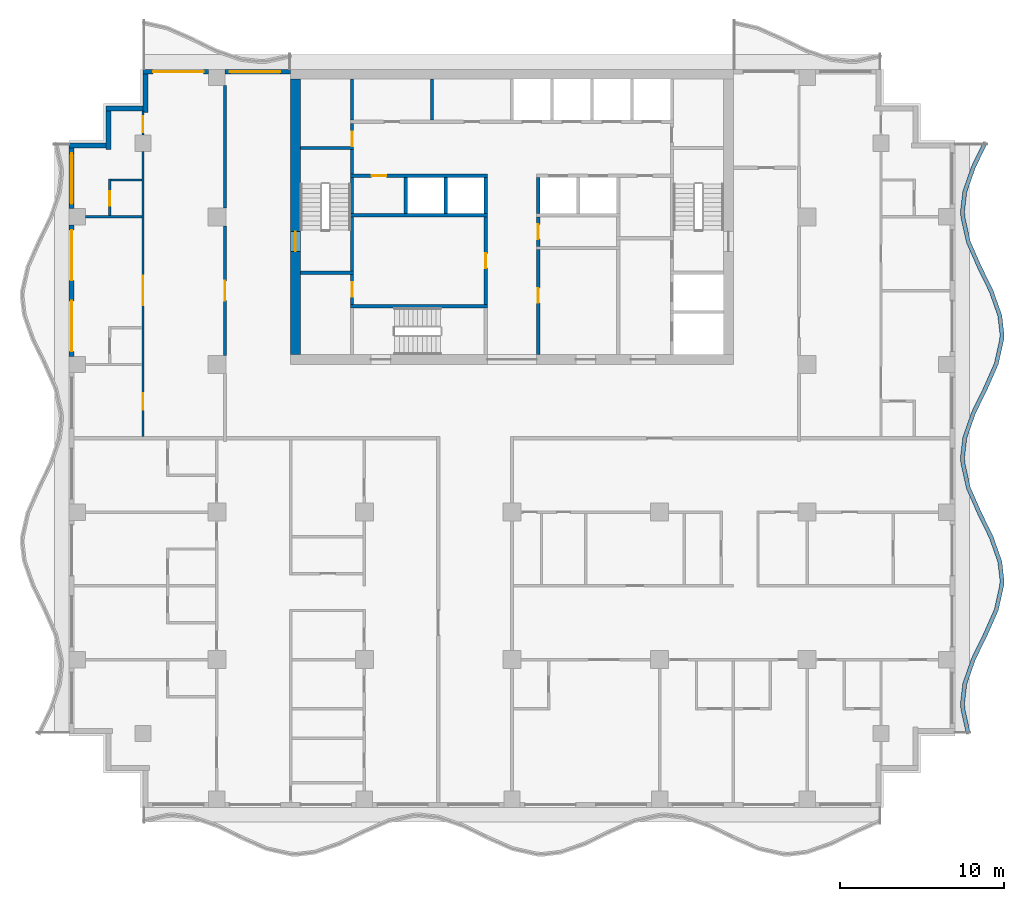
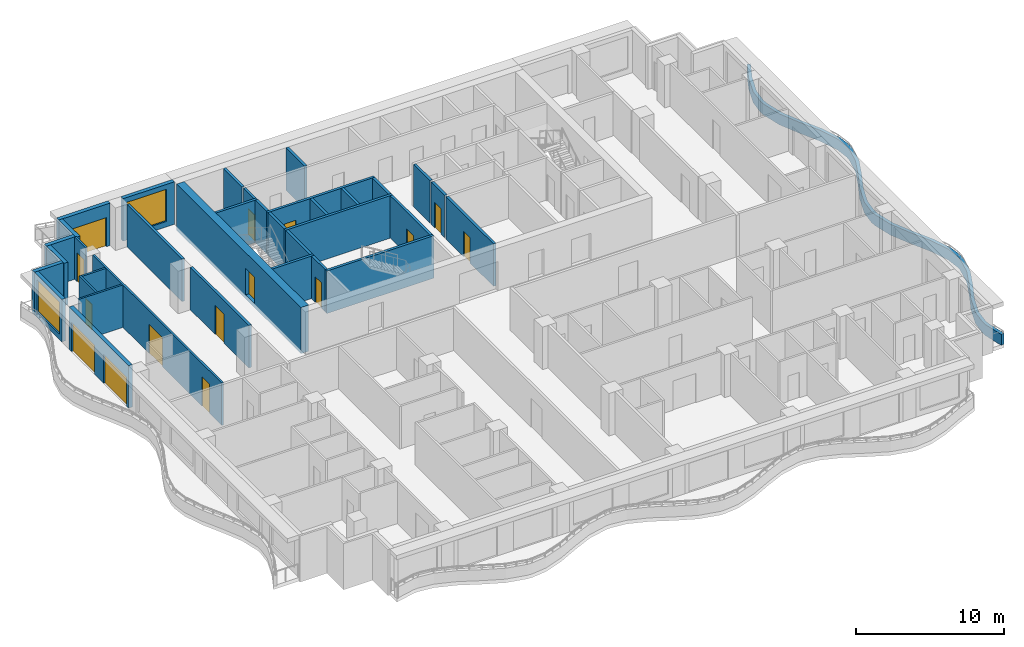
# One storey, part 5 of 11: 36 walls, 15 doors, 2 windows, 17 openings.
"""IFC4 building model written with IfcOpenShell, lengths in metres."""

import ifcopenshell
import ifcopenshell.guid

model = None  # the IFC model being written
_history = None  # IfcOwnerHistory: only IFC2X3 demands one
_inside = {}  # id of a spatial element -> (the spatial element, [elements in it])
_under = {}  # id of a project, library or spatial element -> (it, [spatial elements below it])
_declared = {}  # id of a project -> (the project, [libraries it declares])
_typed = {}  # id of a type object -> (the type object, [elements of that type])
_made_of = {}  # id of a material, layer set ... -> (it, [elements and type objects made of it])


def new_model(schema):
    """Start an empty IFC model of exactly this schema.

    Asked for "IFC4X3", IfcOpenShell would pick the latest addendum, in which some entities
    have other attributes; the version numbers below select the first issue.
    IFC2X3 requires an IfcOwnerHistory on every rooted entity: one is made here for all.
    """
    global model, _history
    if schema == "IFC4X3":
        model = ifcopenshell.file(schema_version=(4, 3, 0, 0))
    else:
        model = ifcopenshell.file(schema=schema)
    _inside.clear()
    _under.clear()
    _declared.clear()
    _typed.clear()
    _made_of.clear()
    _history = None
    if model.schema == "IFC2X3":
        org = make("IfcOrganization", Name="unknown")
        user = make(
            "IfcPersonAndOrganization",
            ThePerson=make("IfcPerson", FamilyName="unknown"),
            TheOrganization=org,
        )
        app = make(
            "IfcApplication",
            ApplicationDeveloper=org,
            Version="unknown",
            ApplicationFullName="unknown",
            ApplicationIdentifier="unknown",
        )
        _history = make(
            "IfcOwnerHistory",
            OwningUser=user,
            OwningApplication=app,
            ChangeAction="ADDED",
            CreationDate=0,
        )
    return model


def make(cls, **values):
    """One entity of the class cls with the attributes given. An attribute that is None is left unset."""
    return model.create_entity(
        cls, **{name: value for name, value in values.items() if value is not None}
    )


def rooted(cls, **values):
    """An entity with a GlobalId (a new one), such as an element, a storey or a relation."""
    return make(cls, GlobalId=ifcopenshell.guid.new(), OwnerHistory=_history, **values)


def si_unit(unit_type, name, prefix=None):
    """IfcSIUnit, for example si_unit("LENGTHUNIT", "METRE", prefix="MILLI")."""
    return make("IfcSIUnit", UnitType=unit_type, Prefix=prefix, Name=name)


def assignment(units):
    """IfcUnitAssignment: the units of a project."""
    return None if units is None else make("IfcUnitAssignment", Units=units)


def point(xyz):
    """IfcCartesianPoint."""
    return None if xyz is None else make("IfcCartesianPoint", Coordinates=xyz)


def direction(xyz):
    """IfcDirection."""
    return None if xyz is None else make("IfcDirection", DirectionRatios=xyz)


def frame(location, z_axis=None, x_axis=None):
    """IfcAxis2Placement3D, a coordinate frame: its origin and axes. An axis left out is left unset."""
    return make(
        "IfcAxis2Placement3D",
        Location=point(location),
        Axis=direction(z_axis),
        RefDirection=direction(x_axis),
    )


def frame_2d(location, x_axis=None):
    """IfcAxis2Placement2D, a coordinate frame in the plane: its origin and x axis."""
    return make(
        "IfcAxis2Placement2D", Location=point(location), RefDirection=direction(x_axis)
    )


def origin():
    """The frame at (0, 0, 0) with its axes left unset."""
    return frame((0.0, 0.0, 0.0))


def place(relative_to, where):
    """IfcLocalPlacement: puts the frame where relative to a parent placement (None: the world)."""
    return make(
        "IfcLocalPlacement", PlacementRelTo=relative_to, RelativePlacement=where
    )


def context(
    kind, dimensions, precision=None, world=None, true_north=None, identifier=None
):
    """IfcGeometricRepresentationContext, for example the 3D "Model" context."""
    return make(
        "IfcGeometricRepresentationContext",
        ContextIdentifier=identifier,
        ContextType=kind,
        CoordinateSpaceDimension=dimensions,
        Precision=precision,
        WorldCoordinateSystem=world,
        TrueNorth=true_north,
    )


def subcontext(parent, identifier, kind, view, scale=None):
    """IfcGeometricRepresentationSubContext, for example "Body" below "Model"."""
    return make(
        "IfcGeometricRepresentationSubContext",
        ContextIdentifier=identifier,
        ContextType=kind,
        ParentContext=parent,
        TargetScale=scale,
        TargetView=view,
    )


def project(units=None, contexts=None):
    """IfcProject with its units and contexts."""
    return rooted(
        "IfcProject",
        Name="project",
        RepresentationContexts=contexts,
        UnitsInContext=assignment(units),
    )


def spatial(cls, under=None, at=None, **own):
    """A site, building, storey or space (cls), placed at a placement, below another one or the project."""
    s = rooted(cls, ObjectPlacement=at, **own)
    if under is not None:
        _under.setdefault(under.id(), (under, []))[1].append(s)
    return s


def polyline(points):
    """IfcPolyline through the points."""
    return make("IfcPolyline", Points=[point(p) for p in points])


def profile(cls, at=None, kind="AREA", **sizes):
    """A parametric profile (cls). Its sizes go by their IFC names, for example OverallWidth=200.0."""
    return make(cls, ProfileType=kind, Position=at, **sizes)


def rectangle(**sizes):
    """IfcRectangleProfileDef."""
    return profile("IfcRectangleProfileDef", **sizes)


def outline(outer, holes=None, kind="AREA"):
    """IfcArbitraryClosedProfileDef: a profile drawn as a closed curve; with holes, ...WithVoids."""
    if holes is None:
        return make("IfcArbitraryClosedProfileDef", ProfileType=kind, OuterCurve=outer)
    return make(
        "IfcArbitraryProfileDefWithVoids",
        ProfileType=kind,
        OuterCurve=outer,
        InnerCurves=holes,
    )


def extrude(swept, where, along, depth):
    """IfcExtrudedAreaSolid: the profile swept, set in the frame where, extruded along a direction by depth."""
    return make(
        "IfcExtrudedAreaSolid",
        SweptArea=swept,
        Position=where,
        ExtrudedDirection=direction(along),
        Depth=depth,
    )


def shape(context_of_items, identifier, shape_type, items):
    """IfcShapeRepresentation: the items that make up one representation, for example the "Body"."""
    return make(
        "IfcShapeRepresentation",
        ContextOfItems=context_of_items,
        RepresentationIdentifier=identifier,
        RepresentationType=shape_type,
        Items=items,
    )


def material(Name=None, Category=None):
    """IfcMaterial."""
    return make("IfcMaterial", Name=Name, Category=Category)


def layer(
    of_material, thickness, ventilated=None, Name=None, Category=None, Priority=None
):
    """IfcMaterialLayer: one layer of a wall or slab, of a material (None: an air gap)."""
    return make(
        "IfcMaterialLayer",
        Material=of_material,
        LayerThickness=thickness,
        IsVentilated=ventilated,
        Name=Name,
        Category=Category,
        Priority=Priority,
    )


def layer_set(layers, Name=None):
    """IfcMaterialLayerSet."""
    return make("IfcMaterialLayerSet", MaterialLayers=layers, LayerSetName=Name)


def made_of(thing, what):
    """Note that an element or type object is made of a material, layer set ...; save() writes the relation."""
    if what is not None:
        _made_of.setdefault(what.id(), (what, []))[1].append(thing)
    return thing


def type_object(cls, material=None, **own):
    """A type object (cls), such as IfcWallType, which elements share."""
    return made_of(rooted(cls, **own), material)


def element(
    cls,
    number,
    at=None,
    inside=None,
    cuts=None,
    type_object=None,
    material=None,
    context=None,
    identifier="Body",
    shape_type=None,
    held_by="IfcProductDefinitionShape",
    body=None,
    shapes=None,
    **own,
):
    """One element of the class cls, such as IfcWall. Its Tag is "e" and its number.

    at: its placement. inside: the storey or other place that contains it. cuts: it is an
    opening in that element (IfcRelVoidsElement). A single representation is given by context,
    identifier, shape_type and body (its items); several are given by shapes. held_by: the class
    of the entity that holds the representations. save() writes the other relations.
    """
    e = rooted(cls, Tag="e%d" % number, ObjectPlacement=at, **own)
    if body is not None:
        shapes = [shape(context, identifier, shape_type, body)]
    if shapes is not None:
        e.Representation = make(held_by, Representations=shapes)
    if inside is not None:
        _inside.setdefault(inside.id(), (inside, []))[1].append(e)
    if cuts is not None:
        rooted(
            "IfcRelVoidsElement", RelatingBuildingElement=cuts, RelatedOpeningElement=e
        )
    if type_object is not None:
        _typed.setdefault(type_object.id(), (type_object, []))[1].append(e)
    return made_of(e, material)


def fill(opening, filler):
    """IfcRelFillsElement: the door or window that sits in an opening."""
    return rooted(
        "IfcRelFillsElement",
        RelatingOpeningElement=opening,
        RelatedBuildingElement=filler,
    )


def aggregate(whole, parts):
    """IfcRelAggregates: a whole, such as a stair, and the parts it consists of."""
    return rooted("IfcRelAggregates", RelatingObject=whole, RelatedObjects=parts)


def save(model, path):
    """Write the relations noted so far, then the file.

    IfcRelAggregates (storeys below a building ...), IfcRelContainedInSpatialStructure (elements
    in a storey), IfcRelDefinesByType, IfcRelAssociatesMaterial and IfcRelDeclares: one each for
    every whole, place, type object, material and project.
    """
    for whole, parts in _under.values():
        aggregate(whole, parts)
    for where, things in _inside.values():
        rooted(
            "IfcRelContainedInSpatialStructure",
            RelatedElements=things,
            RelatingStructure=where,
        )
    for kind, things in _typed.values():
        rooted("IfcRelDefinesByType", RelatedObjects=things, RelatingType=kind)
    for what, things in _made_of.values():
        rooted("IfcRelAssociatesMaterial", RelatedObjects=things, RelatingMaterial=what)
    for by, libraries in _declared.values():
        rooted("IfcRelDeclares", RelatingContext=by, RelatedDefinitions=libraries)
    model.write(path)


model = new_model("IFC4")

# Units and contexts
model_context = context("Model", 3, precision=1e-05, world=origin(), true_north=direction((0.0, 1.0)))
body_context = subcontext(model_context, "Body", "Model", "MODEL_VIEW")
ifc_project = project(units=[si_unit("LENGTHUNIT", "METRE"), si_unit("AREAUNIT", "SQUARE_METRE"), si_unit("VOLUMEUNIT", "CUBIC_METRE"), si_unit("PLANEANGLEUNIT", "RADIAN"), si_unit("MASSUNIT", "GRAM", prefix="KILO")], contexts=[model_context])

# Site, building, storey
site_placement = place(None, origin())
site = spatial("IfcSite", under=ifc_project, at=site_placement, CompositionType="ELEMENT")
building_placement = place(site_placement, origin())
building = spatial("IfcBuilding", under=site, at=building_placement, Name="Orbiselva Terraces", CompositionType="ELEMENT")
storey_placement = place(building_placement, frame((0.0, 0.0, 199.6)))
storey = spatial("IfcBuildingStorey", under=building, at=storey_placement, Name="L50", CompositionType="ELEMENT", Elevation=199.6)

# Wall, opening, door
ifc_material_1 = material(Name="Concrete C80/95", Category="concrete")
ifc_layer_1 = layer(ifc_material_1, 0.6)
ifc_layer_set_1 = layer_set([ifc_layer_1], Name="Concrete C80/95")
wall_type_1 = type_object("IfcWallType", Name="CORE WALL 600", PredefinedType="SHEAR", material=ifc_layer_set_1)
wall_1_placement = place(storey_placement, frame((-13.2, 21.9, -0.3), z_axis=(0.0, 0.0, 1.0), x_axis=(0.0, -1.0, 0.0)))
wall_1 = element("IfcWall", 1, at=wall_1_placement, inside=storey, type_object=wall_type_1, Name="Core wall L50 west", PredefinedType="SHEAR", context=body_context, shape_type="SweptSolid", body=[
    extrude(rectangle(XDim=16.8, YDim=0.6, at=frame_2d((8.4, 0.0))), origin(), (0.0, 0.0, 1.0), 3.8),
])
opening_1_placement = place(wall_1_placement, frame((9.3, 0.0, 0.3)))
opening_1 = element("IfcOpeningElement", 2, at=opening_1_placement, cuts=wall_1, Name="Opening DS1200", PredefinedType="OPENING", context=body_context, shape_type="SweptSolid", body=[
    extrude(rectangle(XDim=1.2, YDim=2.2, at=frame_2d((0.6, 1.1))), frame((0.0, 0.31, 0.0), z_axis=(0.0, -1.0, 0.0), x_axis=(1.0, 0.0, 0.0)), (0.0, 0.0, 1.0), 0.62),
])
ifc_material_2 = material(Name="Steel fire door", Category="steel")
door_type_1 = type_object("IfcDoorType", Name="STAIR DOOR 1200", OperationType="NOTDEFINED", PredefinedType="DOOR", material=ifc_material_2)
door_1_placement = place(opening_1_placement, frame((1.2, 0.0, 0.0), z_axis=(0.0, 0.0, 1.0), x_axis=(-1.0, 0.0, 0.0)))
door_1 = element("IfcDoor", 3, at=door_1_placement, inside=storey, type_object=door_type_1, Name="L50 EXIT STAIR S1 door", OperationType="SINGLE_SWING_RIGHT", OverallHeight=2.2, OverallWidth=1.2, PredefinedType="DOOR", context=body_context, shape_type="SweptSolid", body=[
    extrude(rectangle(XDim=1.2, YDim=2.2, at=frame_2d((0.6, 1.1))), frame((0.0, 0.025, 0.0), z_axis=(0.0, -1.0, 0.0), x_axis=(1.0, 0.0, 0.0)), (0.0, 0.0, 1.0), 0.05),
])
fill(opening_1, door_1)

ifc_material_3 = material(Name="Masonry blockwork", Category="masonry")
ifc_layer_2 = layer(ifc_material_3, 0.2)
ifc_layer_set_2 = layer_set([ifc_layer_2], Name="Masonry blockwork")
wall_type_2 = type_object("IfcWallType", Name="CORE-WALL-PARTITION-200", PredefinedType="PARTITIONING", material=ifc_layer_set_2)
wall_2_placement = place(storey_placement, frame((-9.75, 8.15, 0.0), z_axis=(0.0, 0.0, 1.0), x_axis=(0.0, 1.0, 0.0)))
wall_2 = element("IfcWall", 4, at=wall_2_placement, inside=storey, type_object=wall_type_2, Name="L50 core wall 05", PredefinedType="PARTITIONING", context=body_context, shape_type="SweptSolid", body=[
    extrude(rectangle(XDim=1.85, YDim=0.2, at=frame_2d((0.925, 0.0))), origin(), (0.0, 0.0, 1.0), 3.5),
])
opening_2_placement = place(wall_2_placement, frame((0.475, 0.0, 0.0)))
opening_2 = element("IfcOpeningElement", 5, at=opening_2_placement, cuts=wall_2, Name="Opening DR900", PredefinedType="OPENING", context=body_context, shape_type="SweptSolid", body=[
    extrude(rectangle(XDim=0.9, YDim=2.1, at=frame_2d((0.45, 1.05))), frame((0.0, 0.11, 0.0), z_axis=(0.0, -1.0, 0.0), x_axis=(1.0, 0.0, 0.0)), (0.0, 0.0, 1.0), 0.22),
])
door_type_2 = type_object("IfcDoorType", Name="ROOM DOOR 900", OperationType="NOTDEFINED", PredefinedType="DOOR", material=ifc_material_2)
door_2_placement = place(opening_2_placement, origin())
door_2 = element("IfcDoor", 6, at=door_2_placement, inside=storey, type_object=door_type_2, Name="L50 ACCESSIBLE WC door", OperationType="SINGLE_SWING_RIGHT", OverallHeight=2.1, OverallWidth=0.9, PredefinedType="DOOR", context=body_context, shape_type="SweptSolid", body=[
    extrude(rectangle(XDim=0.9, YDim=2.1, at=frame_2d((0.45, 1.05))), frame((0.0, 0.025, 0.0), z_axis=(0.0, -1.0, 0.0), x_axis=(1.0, 0.0, 0.0)), (0.0, 0.0, 1.0), 0.05),
])
fill(opening_2, door_2)

wall_3_placement = place(storey_placement, frame((-9.75, 17.8, 0.0), z_axis=(0.0, 0.0, 1.0), x_axis=(0.0, 1.0, 0.0)))
wall_3 = element("IfcWall", 7, at=wall_3_placement, inside=storey, type_object=wall_type_2, Name="L50 core wall 11", PredefinedType="PARTITIONING", context=body_context, shape_type="SweptSolid", body=[
    extrude(rectangle(XDim=1.4, YDim=0.2, at=frame_2d((0.7, 0.0))), origin(), (0.0, 0.0, 1.0), 3.5),
])
opening_3_placement = place(wall_3_placement, origin())
opening_3 = element("IfcOpeningElement", 8, at=opening_3_placement, cuts=wall_3, Name="Opening DR900", PredefinedType="OPENING", context=body_context, shape_type="SweptSolid", body=[
    extrude(rectangle(XDim=0.9, YDim=2.1, at=frame_2d((0.45, 1.05))), frame((0.0, 0.11, 0.0), z_axis=(0.0, -1.0, 0.0), x_axis=(1.0, 0.0, 0.0)), (0.0, 0.0, 1.0), 0.22),
])
door_3_placement = place(opening_3_placement, origin())
door_3 = element("IfcDoor", 9, at=door_3_placement, inside=storey, type_object=door_type_2, Name="L50 COMMS RISER ROOM door", OperationType="SINGLE_SWING_LEFT", OverallHeight=2.1, OverallWidth=0.9, PredefinedType="DOOR", context=body_context, shape_type="SweptSolid", body=[
    extrude(rectangle(XDim=0.9, YDim=2.1, at=frame_2d((0.45, 1.05))), frame((0.0, 0.025, 0.0), z_axis=(0.0, -1.0, 0.0), x_axis=(1.0, 0.0, 0.0)), (0.0, 0.0, 1.0), 0.05),
])
fill(opening_3, door_3)

# Walls
for number, where, z_axis, x_axis, name in (
    (10, (-9.75, 19.4, 0.0), (0.0, 0.0, 1.0), (0.0, 1.0, 0.0), "L50 core wall 13"),
    (11, (-4.875, 19.4, 0.0), (0.0, 0.0, 1.0), (0.0, 1.0, 0.0), "L50 core wall 15"),
):
    element("IfcWall", number, at=place(storey_placement, frame(where, z_axis=z_axis, x_axis=x_axis)), inside=storey, type_object=wall_type_2, Name=name, PredefinedType="PARTITIONING", context=body_context, shape_type="SweptSolid", body=[
        extrude(rectangle(XDim=2.5, YDim=0.2, at=frame_2d((1.25, 0.0))), origin(), (0.0, 0.0, 1.0), 3.5),
    ])

# Wall, opening, door
wall_4_placement = place(storey_placement, frame((1.6, 13.5, 0.0), z_axis=(0.0, 0.0, 1.0), x_axis=(0.0, -1.0, 0.0)))
wall_4 = element("IfcWall", 12, at=wall_4_placement, inside=storey, type_object=wall_type_2, Name="L50 core wall 23", PredefinedType="PARTITIONING", context=body_context, shape_type="SweptSolid", body=[
    extrude(rectangle(XDim=1.8, YDim=0.2, at=frame_2d((0.9, 0.0))), origin(), (0.0, 0.0, 1.0), 3.5),
])
opening_4_placement = place(wall_4_placement, frame((0.45, 0.0, 0.0)))
opening_4 = element("IfcOpeningElement", 13, at=opening_4_placement, cuts=wall_4, Name="Opening DR900", PredefinedType="OPENING", context=body_context, shape_type="SweptSolid", body=[
    extrude(rectangle(XDim=0.9, YDim=2.1, at=frame_2d((0.45, 1.05))), frame((0.0, 0.11, 0.0), z_axis=(0.0, -1.0, 0.0), x_axis=(1.0, 0.0, 0.0)), (0.0, 0.0, 1.0), 0.22),
])
door_4_placement = place(opening_4_placement, origin())
door_4 = element("IfcDoor", 14, at=door_4_placement, inside=storey, type_object=door_type_2, Name="L50 IT ROOM door", OperationType="SINGLE_SWING_LEFT", OverallHeight=2.1, OverallWidth=0.9, PredefinedType="DOOR", context=body_context, shape_type="SweptSolid", body=[
    extrude(rectangle(XDim=0.9, YDim=2.1, at=frame_2d((0.45, 1.05))), frame((0.0, 0.025, 0.0), z_axis=(0.0, -1.0, 0.0), x_axis=(1.0, 0.0, 0.0)), (0.0, 0.0, 1.0), 0.05),
])
fill(opening_4, door_4)

# Walls
ifc_material_4 = material(Name="Concrete C40/50", Category="concrete")
ifc_layer_3 = layer(ifc_material_4, 0.2)
ifc_layer_set_3 = layer_set([ifc_layer_3], Name="Concrete C40/50")
wall_type_3 = type_object("IfcWallType", Name="CORE-WALL-SHAFT-200", PredefinedType="PARTITIONING", material=ifc_layer_set_3)
for number, where, z_axis, x_axis, name in (
    (15, (-6.475, 13.7, 0.0), (0.0, 0.0, 1.0), (0.0, 1.0, 0.0), "L50 core wall 14"),
    (16, (-4.0375, 13.7, 0.0), (0.0, 0.0, 1.0), (0.0, 1.0, 0.0), "L50 core wall 16"),
    (17, (-1.6, 13.7, 0.0), (0.0, 0.0, 1.0), (0.0, 1.0, 0.0), "L50 core wall 19"),
    (18, (1.6, 13.7, 0.0), (0.0, 0.0, 1.0), (0.0, 1.0, 0.0), "L50 core wall 25"),
):
    element("IfcWall", number, at=place(storey_placement, frame(where, z_axis=z_axis, x_axis=x_axis)), inside=storey, type_object=wall_type_3, Name=name, PredefinedType="PARTITIONING", context=body_context, shape_type="SweptSolid", body=[
        extrude(rectangle(XDim=2.2, YDim=0.2, at=frame_2d((1.1, 0.0))), origin(), (0.0, 0.0, 1.0), 3.5),
    ])
ifc_material_5 = material(Name="Concrete C60/75", Category="concrete")
ifc_layer_4 = layer(ifc_material_5, 0.2)
ifc_layer_set_4 = layer_set([ifc_layer_4], Name="Concrete C60/75")
wall_type_4 = type_object("IfcWallType", Name="CORE-WALL-SHEAR-200", PredefinedType="SHEAR", material=ifc_layer_set_4)
for number, where, z_axis, x_axis, name in (
    (19, (-12.9, 10.1, 0.0), (0.0, 0.0, 1.0), (1.0, 0.0, 0.0), "L50 core wall 01"),
    (20, (-12.9, 17.7, 0.0), (0.0, 0.0, 1.0), (1.0, 0.0, 0.0), "L50 core wall 02"),
):
    element("IfcWall", number, at=place(storey_placement, frame(where, z_axis=z_axis, x_axis=x_axis)), inside=storey, type_object=wall_type_4, Name=name, PredefinedType="SHEAR", context=body_context, shape_type="SweptSolid", body=[
        extrude(rectangle(XDim=3.25, YDim=0.2, at=frame_2d((1.625, 0.0))), origin(), (0.0, 0.0, 1.0), 3.5),
    ])
wall_5_placement = place(storey_placement, frame((-9.85, 8.05, 0.0), z_axis=(0.0, 0.0, 1.0), x_axis=(1.0, 0.0, 0.0)))
element("IfcWall", 21, at=wall_5_placement, inside=storey, type_object=wall_type_4, Name="L50 core wall 04", PredefinedType="SHEAR", context=body_context, shape_type="SweptSolid", body=[
    extrude(rectangle(XDim=8.35, YDim=0.2, at=frame_2d((4.175, 0.0))), origin(), (0.0, 0.0, 1.0), 3.5),
])
wall_6_placement = place(storey_placement, frame((-9.75, 10.2, 0.0), z_axis=(0.0, 0.0, 1.0), x_axis=(0.0, 1.0, 0.0)))
element("IfcWall", 22, at=wall_6_placement, inside=storey, type_object=wall_type_4, Name="L50 core wall 06", PredefinedType="SHEAR", context=body_context, shape_type="SweptSolid", body=[
    extrude(rectangle(XDim=3.3, YDim=0.2, at=frame_2d((1.65, 0.0))), origin(), (0.0, 0.0, 1.0), 3.5),
])
wall_7_placement = place(storey_placement, frame((-9.85, 13.6, 0.0), z_axis=(0.0, 0.0, 1.0), x_axis=(1.0, 0.0, 0.0)))
element("IfcWall", 23, at=wall_7_placement, inside=storey, type_object=wall_type_4, Name="L50 core wall 07", PredefinedType="SHEAR", context=body_context, shape_type="SweptSolid", body=[
    extrude(rectangle(XDim=8.35, YDim=0.2, at=frame_2d((4.175, 0.0))), origin(), (0.0, 0.0, 1.0), 3.5),
])
wall_8_placement = place(storey_placement, frame((-9.75, 13.7, 0.0), z_axis=(0.0, 0.0, 1.0), x_axis=(0.0, 1.0, 0.0)))
element("IfcWall", 24, at=wall_8_placement, inside=storey, type_object=wall_type_4, Name="L50 core wall 08", PredefinedType="SHEAR", context=body_context, shape_type="SweptSolid", body=[
    extrude(rectangle(XDim=2.2, YDim=0.2, at=frame_2d((1.1, 0.0))), origin(), (0.0, 0.0, 1.0), 3.5),
])

# Wall, opening, door
wall_9_placement = place(storey_placement, frame((-1.5, 16.0, 0.0), z_axis=(0.0, 0.0, 1.0), x_axis=(-1.0, 0.0, 0.0)))
wall_9 = element("IfcWall", 25, at=wall_9_placement, inside=storey, type_object=wall_type_4, Name="L50 core wall 09", PredefinedType="SHEAR", context=body_context, shape_type="SweptSolid", body=[
    extrude(rectangle(XDim=8.35, YDim=0.2, at=frame_2d((4.175, 0.0))), origin(), (0.0, 0.0, 1.0), 3.5),
])
opening_5_placement = place(wall_9_placement, frame((6.1625, 0.0, 0.0)))
opening_5 = element("IfcOpeningElement", 26, at=opening_5_placement, cuts=wall_9, Name="Opening DR900", PredefinedType="OPENING", context=body_context, shape_type="SweptSolid", body=[
    extrude(rectangle(XDim=0.9, YDim=2.1, at=frame_2d((0.45, 1.05))), frame((0.0, 0.11, 0.0), z_axis=(0.0, -1.0, 0.0), x_axis=(1.0, 0.0, 0.0)), (0.0, 0.0, 1.0), 0.22),
])
door_5_placement = place(opening_5_placement, origin())
door_5 = element("IfcDoor", 27, at=door_5_placement, inside=storey, type_object=door_type_2, Name="L50 IT ROOM door", OperationType="SINGLE_SWING_RIGHT", OverallHeight=2.1, OverallWidth=0.9, PredefinedType="DOOR", context=body_context, shape_type="SweptSolid", body=[
    extrude(rectangle(XDim=0.9, YDim=2.1, at=frame_2d((0.45, 1.05))), frame((0.0, 0.025, 0.0), z_axis=(0.0, -1.0, 0.0), x_axis=(1.0, 0.0, 0.0)), (0.0, 0.0, 1.0), 0.05),
])
fill(opening_5, door_5)

# Wall
wall_10_placement = place(storey_placement, frame((-9.75, 16.1, 0.0), z_axis=(0.0, 0.0, 1.0), x_axis=(0.0, 1.0, 0.0)))
element("IfcWall", 28, at=wall_10_placement, inside=storey, type_object=wall_type_4, Name="L50 core wall 10", PredefinedType="SHEAR", context=body_context, shape_type="SweptSolid", body=[
    extrude(rectangle(XDim=1.5, YDim=0.2, at=frame_2d((0.75, 0.0))), origin(), (0.0, 0.0, 1.0), 3.5),
])

# Wall, opening, door
wall_11_placement = place(storey_placement, frame((-1.6, 8.15, 0.0), z_axis=(0.0, 0.0, 1.0), x_axis=(0.0, 1.0, 0.0)))
wall_11 = element("IfcWall", 29, at=wall_11_placement, inside=storey, type_object=wall_type_4, Name="L50 core wall 18", PredefinedType="SHEAR", context=body_context, shape_type="SweptSolid", body=[
    extrude(rectangle(XDim=5.35, YDim=0.2, at=frame_2d((2.675, 0.0))), origin(), (0.0, 0.0, 1.0), 3.5),
])
opening_6_placement = place(wall_11_placement, frame((2.225, 0.0, 0.0)))
opening_6 = element("IfcOpeningElement", 30, at=opening_6_placement, cuts=wall_11, Name="Opening DR900", PredefinedType="OPENING", context=body_context, shape_type="SweptSolid", body=[
    extrude(rectangle(XDim=0.9, YDim=2.1, at=frame_2d((0.45, 1.05))), frame((0.0, 0.11, 0.0), z_axis=(0.0, -1.0, 0.0), x_axis=(1.0, 0.0, 0.0)), (0.0, 0.0, 1.0), 0.22),
])
door_6_placement = place(opening_6_placement, origin())
door_6 = element("IfcDoor", 31, at=door_6_placement, inside=storey, type_object=door_type_2, Name="L50 LINEN STORE door", OperationType="SINGLE_SWING_RIGHT", OverallHeight=2.1, OverallWidth=0.9, PredefinedType="DOOR", context=body_context, shape_type="SweptSolid", body=[
    extrude(rectangle(XDim=0.9, YDim=2.1, at=frame_2d((0.45, 1.05))), frame((0.0, 0.025, 0.0), z_axis=(0.0, -1.0, 0.0), x_axis=(1.0, 0.0, 0.0)), (0.0, 0.0, 1.0), 0.05),
])
fill(opening_6, door_6)

wall_12_placement = place(storey_placement, frame((1.6, 11.5, 0.0), z_axis=(0.0, 0.0, 1.0), x_axis=(0.0, -1.0, 0.0)))
wall_12 = element("IfcWall", 32, at=wall_12_placement, inside=storey, type_object=wall_type_4, Name="L50 core wall 21", PredefinedType="SHEAR", context=body_context, shape_type="SweptSolid", body=[
    extrude(rectangle(XDim=6.4, YDim=0.2, at=frame_2d((3.2, 0.0))), origin(), (0.0, 0.0, 1.0), 3.5),
])
opening_7_placement = place(wall_12_placement, frame((2.35, 0.0, 0.0)))
opening_7 = element("IfcOpeningElement", 33, at=opening_7_placement, cuts=wall_12, Name="Opening DR900", PredefinedType="OPENING", context=body_context, shape_type="SweptSolid", body=[
    extrude(rectangle(XDim=0.9, YDim=2.1, at=frame_2d((0.45, 1.05))), frame((0.0, 0.11, 0.0), z_axis=(0.0, -1.0, 0.0), x_axis=(1.0, 0.0, 0.0)), (0.0, 0.0, 1.0), 0.22),
])
door_7_placement = place(opening_7_placement, origin())
door_7 = element("IfcDoor", 34, at=door_7_placement, inside=storey, type_object=door_type_2, Name="L50 SERVICE ROOM door", OperationType="SINGLE_SWING_LEFT", OverallHeight=2.1, OverallWidth=0.9, PredefinedType="DOOR", context=body_context, shape_type="SweptSolid", body=[
    extrude(rectangle(XDim=0.9, YDim=2.1, at=frame_2d((0.45, 1.05))), frame((0.0, 0.025, 0.0), z_axis=(0.0, -1.0, 0.0), x_axis=(1.0, 0.0, 0.0)), (0.0, 0.0, 1.0), 0.05),
])
fill(opening_7, door_7)

# Wall
ifc_layer_5 = layer(ifc_material_4, 0.25)
ifc_layer_set_5 = layer_set([ifc_layer_5], Name="Concrete C40/50")
wall_type_5 = type_object("IfcWallType", Name="ENV-PLANTER-250x900", PredefinedType="USERDEFINED", material=ifc_layer_set_5)
wall_13_placement = place(storey_placement, origin())
element("IfcWall", 35, at=wall_13_placement, inside=storey, type_object=wall_type_5, Name="Balcony planter L50 E", ObjectType="PLANTER", PredefinedType="USERDEFINED", context=body_context, shape_type="SweptSolid", body=[
    extrude(outline(polyline([(27.951472, -18.0), (27.614774, -16.5), (27.6, -16.125), (27.730792, -15.0), (28.255211, -13.5), (28.987721, -12.0), (29.648528, -10.5), (29.985226, -9.0), (30.0, -8.625), (29.869208, -7.5), (29.344789, -6.0), (28.612279, -4.5), (27.951472, -3.0), (27.614774, -1.5), (27.6, -1.125), (27.730792, 0.0), (28.255211, 1.5), (28.987721, 3.0), (29.648528, 4.5), (29.985226, 6.0), (30.0, 6.375), (29.869208, 7.5), (29.344789, 9.0), (28.612279, 10.5), (27.951472, 12.0), (27.614774, 13.5), (27.6, 13.875), (27.730792, 15.0), (28.255211, 16.5), (28.987721, 18.0), (28.763076, 18.109703), (28.024089, 16.59644), (27.485662, 15.056371), (27.349429, 13.884572), (27.365863, 13.467435), (27.712874, 11.921492), (28.385477, 10.394714), (29.113667, 8.90356), (29.624078, 7.443629), (29.749429, 6.365428), (29.736315, 6.032565), (29.40993, 4.578508), (28.760919, 3.105286), (28.024089, 1.59644), (27.485662, 0.056371), (27.349429, -1.115428), (27.365863, -1.532565), (27.712874, -3.078508), (28.385477, -4.605286), (29.113667, -6.09644), (29.624078, -7.556371), (29.749429, -8.634572), (29.736315, -8.967435), (29.40993, -10.421492), (28.760919, -11.894714), (28.024089, -13.40356), (27.485662, -14.943629), (27.349429, -16.115428), (27.365863, -16.532565), (27.707542, -18.054754), (27.951472, -18.0)])), origin(), (0.0, 0.0, 1.0), 0.9),
])

# Wall, opening, window
ifc_material_6 = material(Name="Terracotta cladding on masonry backing", Category="masonry")
ifc_layer_6 = layer(ifc_material_6, 0.3)
ifc_layer_set_6 = layer_set([ifc_layer_6], Name="Terracotta cladding on masonry backing")
wall_type_6 = type_object("IfcWallType", Name="ENV-WALL-TERRACOTTA-300", PredefinedType="SOLIDWALL", material=ifc_layer_set_6)
wall_14_placement = place(storey_placement, frame((-17.5, 22.35, 0.0), z_axis=(0.0, 0.0, 1.0), x_axis=(1.0, 0.0, 0.0)))
wall_14 = element("IfcWall", 36, at=wall_14_placement, inside=storey, type_object=wall_type_6, Name="Facade wall L50 NW", PredefinedType="SOLIDWALL", context=body_context, shape_type="SweptSolid", body=[
    extrude(rectangle(XDim=4.0, YDim=0.3, at=frame_2d((2.0, 0.0))), origin(), (0.0, 0.0, 1.0), 3.5),
])
opening_8_placement = place(wall_14_placement, frame((0.3, 0.0, 0.45)))
opening_8 = element("IfcOpeningElement", 37, at=opening_8_placement, cuts=wall_14, Name="Opening WN15", PredefinedType="OPENING", context=body_context, shape_type="SweptSolid", body=[
    extrude(rectangle(XDim=3.075, YDim=2.65, at=frame_2d((1.5375, 1.325))), frame((0.0, 0.16, 0.0), z_axis=(0.0, -1.0, 0.0), x_axis=(1.0, 0.0, 0.0)), (0.0, 0.0, 1.0), 0.32),
])
ifc_material_7 = material(Name="Clear low-e glazing in aluminium frame", Category="aluminium")
window_type = type_object("IfcWindowType", Name="WINDOW 3075 X 2650 S450", PartitioningType="TRIPLE_PANEL_VERTICAL", PredefinedType="WINDOW", material=ifc_material_7)
window_1_placement = place(opening_8_placement, origin())
window_1 = element("IfcWindow", 38, at=window_1_placement, inside=storey, type_object=window_type, Name="Window L50 NW", OverallHeight=2.65, OverallWidth=3.075, PartitioningType="SINGLE_PANEL", PredefinedType="WINDOW", context=body_context, shape_type="SweptSolid", body=[
    extrude(rectangle(XDim=3.075, YDim=2.65, at=frame_2d((1.5375, 1.325))), frame((0.0, 0.03, 0.0), z_axis=(0.0, -1.0, 0.0), x_axis=(1.0, 0.0, 0.0)), (0.0, 0.0, 1.0), 0.06),
])
fill(opening_8, window_1)

# Wall, opening, door
wall_15_placement = place(storey_placement, frame((-22.5, 22.35, 0.0), z_axis=(0.0, 0.0, 1.0), x_axis=(1.0, 0.0, 0.0)))
wall_15 = element("IfcWall", 39, at=wall_15_placement, inside=storey, type_object=wall_type_6, Name="Facade wall L50 NW", PredefinedType="SOLIDWALL", context=body_context, shape_type="SweptSolid", body=[
    extrude(rectangle(XDim=4.0, YDim=0.3, at=frame_2d((2.0, 0.0))), origin(), (0.0, 0.0, 1.0), 3.5),
])
opening_9_placement = place(wall_15_placement, frame((0.625, 0.0, 0.0)))
opening_9 = element("IfcOpeningElement", 40, at=opening_9_placement, cuts=wall_15, Name="Opening Z4-B-E18", PredefinedType="OPENING", context=body_context, shape_type="SweptSolid", body=[
    extrude(rectangle(XDim=3.075, YDim=2.4, at=frame_2d((1.5375, 1.2))), frame((0.0, 0.16, 0.0), z_axis=(0.0, -1.0, 0.0), x_axis=(1.0, 0.0, 0.0)), (0.0, 0.0, 1.0), 0.32),
])
door_type_3 = type_object("IfcDoorType", Name="BALCONY DOOR 3075 X 2400", OperationType="DOUBLE_DOOR_SLIDING", PredefinedType="DOOR", material=ifc_material_7)
door_8_placement = place(opening_9_placement, origin())
door_8 = element("IfcDoor", 41, at=door_8_placement, inside=storey, type_object=door_type_3, Name="Z4-B-E18", OperationType="SINGLE_SWING_LEFT", OverallHeight=2.4, OverallWidth=3.075, PredefinedType="DOOR", context=body_context, shape_type="SweptSolid", body=[
    extrude(rectangle(XDim=3.075, YDim=2.4, at=frame_2d((1.5375, 1.2))), frame((0.0, 0.025, 0.0), z_axis=(0.0, -1.0, 0.0), x_axis=(1.0, 0.0, 0.0)), (0.0, 0.0, 1.0), 0.05),
])
fill(opening_9, door_8)

# Walls
wall_16_placement = place(storey_placement, frame((-22.35, 19.85, 0.0), z_axis=(0.0, 0.0, 1.0), x_axis=(0.0, 1.0, 0.0)))
element("IfcWall", 42, at=wall_16_placement, inside=storey, type_object=wall_type_6, Name="Facade wall L50 STEP", PredefinedType="SOLIDWALL", context=body_context, shape_type="SweptSolid", body=[
    extrude(rectangle(XDim=2.35, YDim=0.3, at=frame_2d((1.175, 0.0))), origin(), (0.0, 0.0, 1.0), 3.5),
])
wall_17_placement = place(storey_placement, frame((-24.75, 20.1, 0.0), z_axis=(0.0, 0.0, 1.0), x_axis=(1.0, 0.0, 0.0)))
element("IfcWall", 43, at=wall_17_placement, inside=storey, type_object=wall_type_6, Name="Facade wall L50 STEP", PredefinedType="SOLIDWALL", context=body_context, shape_type="SweptSolid", body=[
    extrude(rectangle(XDim=2.25, YDim=0.3, at=frame_2d((1.125, 0.0))), origin(), (0.0, 0.0, 1.0), 3.5),
])
wall_18_placement = place(storey_placement, frame((-24.6, 17.6, 0.0), z_axis=(0.0, 0.0, 1.0), x_axis=(0.0, 1.0, 0.0)))
element("IfcWall", 44, at=wall_18_placement, inside=storey, type_object=wall_type_6, Name="Facade wall L50 STEP", PredefinedType="SOLIDWALL", context=body_context, shape_type="SweptSolid", body=[
    extrude(rectangle(XDim=2.35, YDim=0.3, at=frame_2d((1.175, 0.0))), origin(), (0.0, 0.0, 1.0), 3.5),
])
wall_19_placement = place(storey_placement, frame((-27.0, 17.85, 0.0), z_axis=(0.0, 0.0, 1.0), x_axis=(1.0, 0.0, 0.0)))
element("IfcWall", 45, at=wall_19_placement, inside=storey, type_object=wall_type_6, Name="Facade wall L50 STEP", PredefinedType="SOLIDWALL", context=body_context, shape_type="SweptSolid", body=[
    extrude(rectangle(XDim=2.25, YDim=0.3, at=frame_2d((1.125, 0.0))), origin(), (0.0, 0.0, 1.0), 3.5),
])

# Wall, opening, window
wall_20_placement = place(storey_placement, frame((-26.85, 14.0, 0.0), z_axis=(0.0, 0.0, 1.0), x_axis=(0.0, 1.0, 0.0)))
wall_20 = element("IfcWall", 46, at=wall_20_placement, inside=storey, type_object=wall_type_6, Name="Facade wall L50 W", PredefinedType="SOLIDWALL", context=body_context, shape_type="SweptSolid", body=[
    extrude(rectangle(XDim=3.7, YDim=0.3, at=frame_2d((1.85, 0.0))), origin(), (0.0, 0.0, 1.0), 3.5),
])
opening_10_placement = place(wall_20_placement, frame((0.3, 0.0, 0.45)))
opening_10 = element("IfcOpeningElement", 47, at=opening_10_placement, cuts=wall_20, Name="Opening WN15", PredefinedType="OPENING", context=body_context, shape_type="SweptSolid", body=[
    extrude(rectangle(XDim=3.075, YDim=2.65, at=frame_2d((1.5375, 1.325))), frame((0.0, 0.16, 0.0), z_axis=(0.0, -1.0, 0.0), x_axis=(1.0, 0.0, 0.0)), (0.0, 0.0, 1.0), 0.32),
])
window_2_placement = place(opening_10_placement, origin())
window_2 = element("IfcWindow", 48, at=window_2_placement, inside=storey, type_object=window_type, Name="Window L50 W", OverallHeight=2.65, OverallWidth=3.075, PartitioningType="SINGLE_PANEL", PredefinedType="WINDOW", context=body_context, shape_type="SweptSolid", body=[
    extrude(rectangle(XDim=3.075, YDim=2.65, at=frame_2d((1.5375, 1.325))), frame((0.0, 0.03, 0.0), z_axis=(0.0, -1.0, 0.0), x_axis=(1.0, 0.0, 0.0)), (0.0, 0.0, 1.0), 0.06),
])
fill(opening_10, window_2)

# Wall, openings, doors
wall_21_placement = place(storey_placement, frame((-26.85, 5.0, 0.0), z_axis=(0.0, 0.0, 1.0), x_axis=(0.0, 1.0, 0.0)))
wall_21 = element("IfcWall", 49, at=wall_21_placement, inside=storey, type_object=wall_type_6, Name="Facade wall L50 W", PredefinedType="SOLIDWALL", context=body_context, shape_type="SweptSolid", body=[
    extrude(rectangle(XDim=8.0, YDim=0.3, at=frame_2d((4.0, 0.0))), origin(), (0.0, 0.0, 1.0), 3.5),
])
opening_11_placement = place(wall_21_placement, frame((4.625, 0.0, 0.0)))
opening_11 = element("IfcOpeningElement", 50, at=opening_11_placement, cuts=wall_21, Name="Opening Z4-B-E19", PredefinedType="OPENING", context=body_context, shape_type="SweptSolid", body=[
    extrude(rectangle(XDim=3.075, YDim=2.4, at=frame_2d((1.5375, 1.2))), frame((0.0, 0.16, 0.0), z_axis=(0.0, -1.0, 0.0), x_axis=(1.0, 0.0, 0.0)), (0.0, 0.0, 1.0), 0.32),
])
opening_12_placement = place(wall_21_placement, frame((0.3, 0.0, 0.0)))
opening_12 = element("IfcOpeningElement", 51, at=opening_12_placement, cuts=wall_21, Name="Opening Z4-B-E20", PredefinedType="OPENING", context=body_context, shape_type="SweptSolid", body=[
    extrude(rectangle(XDim=3.075, YDim=2.4, at=frame_2d((1.5375, 1.2))), frame((0.0, 0.16, 0.0), z_axis=(0.0, -1.0, 0.0), x_axis=(1.0, 0.0, 0.0)), (0.0, 0.0, 1.0), 0.32),
])
door_9_placement = place(opening_11_placement, origin())
door_9 = element("IfcDoor", 52, at=door_9_placement, inside=storey, type_object=door_type_3, Name="Z4-B-E19", OperationType="SINGLE_SWING_LEFT", OverallHeight=2.4, OverallWidth=3.075, PredefinedType="DOOR", context=body_context, shape_type="SweptSolid", body=[
    extrude(rectangle(XDim=3.075, YDim=2.4, at=frame_2d((1.5375, 1.2))), frame((0.0, 0.025, 0.0), z_axis=(0.0, -1.0, 0.0), x_axis=(1.0, 0.0, 0.0)), (0.0, 0.0, 1.0), 0.05),
])
fill(opening_11, door_9)
door_10_placement = place(opening_12_placement, origin())
door_10 = element("IfcDoor", 53, at=door_10_placement, inside=storey, type_object=door_type_3, Name="Z4-B-E20", OperationType="SINGLE_SWING_LEFT", OverallHeight=2.4, OverallWidth=3.075, PredefinedType="DOOR", context=body_context, shape_type="SweptSolid", body=[
    extrude(rectangle(XDim=3.075, YDim=2.4, at=frame_2d((1.5375, 1.2))), frame((0.0, 0.025, 0.0), z_axis=(0.0, -1.0, 0.0), x_axis=(1.0, 0.0, 0.0)), (0.0, 0.0, 1.0), 0.05),
])
fill(opening_12, door_10)

# Wall, opening, door
ifc_material_8 = material(Name="Plasterboard on steel stud partition", Category="steel")
ifc_layer_7 = layer(ifc_material_8, 0.2)
ifc_layer_set_7 = layer_set([ifc_layer_7], Name="Plasterboard on steel stud partition")
wall_type_7 = type_object("IfcWallType", Name="UNIT-ENTRANCE-WALL-200", PredefinedType="PARTITIONING", material=ifc_layer_set_7)
wall_22_placement = place(storey_placement, frame((-17.5, 5.05, 0.0), z_axis=(0.0, 0.0, 1.0), x_axis=(0.0, 1.0, 0.0)))
wall_22 = element("IfcWall", 54, at=wall_22_placement, inside=storey, type_object=wall_type_7, Name="PARTITION L50-053", PredefinedType="PARTITIONING", context=body_context, shape_type="SweptSolid", body=[
    extrude(rectangle(XDim=7.9, YDim=0.2, at=frame_2d((3.95, 0.0))), origin(), (0.0, 0.0, 1.0), 3.5),
])
opening_13_placement = place(wall_22_placement, frame((3.35, 0.0, 0.0)))
opening_13 = element("IfcOpeningElement", 55, at=opening_13_placement, cuts=wall_22, Name="Opening Z4-B-02", PredefinedType="OPENING", context=body_context, shape_type="SweptSolid", body=[
    extrude(rectangle(XDim=1.2, YDim=2.4, at=frame_2d((0.6, 1.2))), frame((0.0, 0.11, 0.0), z_axis=(0.0, -1.0, 0.0), x_axis=(1.0, 0.0, 0.0)), (0.0, 0.0, 1.0), 0.22),
])
ifc_material_9 = material(Name="Painted timber door leaf", Category="wood")
door_type_4 = type_object("IfcDoorType", Name="ENTRANCE DOOR 1200", OperationType="NOTDEFINED", PredefinedType="DOOR", material=ifc_material_9)
door_11_placement = place(opening_13_placement, origin())
door_11 = element("IfcDoor", 56, at=door_11_placement, inside=storey, type_object=door_type_4, Name="Z4-B-02", OperationType="SINGLE_SWING_RIGHT", OverallHeight=2.4, OverallWidth=1.2, PredefinedType="DOOR", context=body_context, shape_type="SweptSolid", body=[
    extrude(rectangle(XDim=1.2, YDim=2.4, at=frame_2d((0.6, 1.2))), frame((0.0, 0.025, 0.0), z_axis=(0.0, -1.0, 0.0), x_axis=(1.0, 0.0, 0.0)), (0.0, 0.0, 1.0), 0.05),
])
fill(opening_13, door_11)

# Walls
wall_23_placement = place(storey_placement, frame((-17.5, 14.05, 0.0), z_axis=(0.0, 0.0, 1.0), x_axis=(0.0, 1.0, 0.0)))
element("IfcWall", 57, at=wall_23_placement, inside=storey, type_object=wall_type_7, Name="PARTITION L50-054", PredefinedType="PARTITIONING", context=body_context, shape_type="SweptSolid", body=[
    extrude(rectangle(XDim=7.45, YDim=0.2, at=frame_2d((3.725, 0.0))), origin(), (0.0, 0.0, 1.0), 3.5),
])
ifc_layer_8 = layer(ifc_material_8, 0.15)
ifc_layer_set_8 = layer_set([ifc_layer_8], Name="Plasterboard on steel stud partition")
wall_type_8 = type_object("IfcWallType", Name="UNIT-PARTITION-150", PredefinedType="PARTITIONING", material=ifc_layer_set_8)
wall_24_placement = place(storey_placement, frame((-26.0, 13.5, 0.0), z_axis=(0.0, 0.0, 1.0), x_axis=(1.0, 0.0, 0.0)))
element("IfcWall", 58, at=wall_24_placement, inside=storey, type_object=wall_type_8, Name="PARTITION L50-037", PredefinedType="PARTITIONING", context=body_context, shape_type="SweptSolid", body=[
    extrude(rectangle(XDim=3.425, YDim=0.15, at=frame_2d((1.7125, 0.0))), origin(), (0.0, 0.0, 1.0), 3.5),
])
wall_25_placement = place(storey_placement, frame((-24.45, 15.75, 0.0), z_axis=(0.0, 0.0, 1.0), x_axis=(1.0, 0.0, 0.0)))
element("IfcWall", 59, at=wall_25_placement, inside=storey, type_object=wall_type_8, Name="PARTITION L50-039", PredefinedType="PARTITIONING", context=body_context, shape_type="SweptSolid", body=[
    extrude(rectangle(XDim=1.875, YDim=0.15, at=frame_2d((0.9375, 0.0))), origin(), (0.0, 0.0, 1.0), 3.5),
])

# Wall, opening, door
wall_26_placement = place(storey_placement, frame((-24.525, 15.825, 0.0), z_axis=(0.0, 0.0, 1.0), x_axis=(0.0, -1.0, 0.0)))
wall_26 = element("IfcWall", 60, at=wall_26_placement, inside=storey, type_object=wall_type_8, Name="PARTITION L50-043", PredefinedType="PARTITIONING", context=body_context, shape_type="SweptSolid", body=[
    extrude(rectangle(XDim=2.25, YDim=0.15, at=frame_2d((1.125, 0.0))), origin(), (0.0, 0.0, 1.0), 3.5),
])
opening_14_placement = place(wall_26_placement, frame((0.75, 0.0, 0.0)))
opening_14 = element("IfcOpeningElement", 61, at=opening_14_placement, cuts=wall_26, Name="Opening Z4-B-07", PredefinedType="OPENING", context=body_context, shape_type="SweptSolid", body=[
    extrude(rectangle(XDim=0.9, YDim=2.1, at=frame_2d((0.45, 1.05))), frame((0.0, 0.085, 0.0), z_axis=(0.0, -1.0, 0.0), x_axis=(1.0, 0.0, 0.0)), (0.0, 0.0, 1.0), 0.17),
])
door_type_5 = type_object("IfcDoorType", Name="BATH DOOR 900", OperationType="NOTDEFINED", PredefinedType="DOOR", material=ifc_material_9)
door_12_placement = place(opening_14_placement, origin())
door_12 = element("IfcDoor", 62, at=door_12_placement, inside=storey, type_object=door_type_5, Name="Z4-B-07", OperationType="SINGLE_SWING_RIGHT", OverallHeight=2.1, OverallWidth=0.9, PredefinedType="DOOR", context=body_context, shape_type="SweptSolid", body=[
    extrude(rectangle(XDim=0.9, YDim=2.1, at=frame_2d((0.45, 1.05))), frame((0.0, 0.025, 0.0), z_axis=(0.0, -1.0, 0.0), x_axis=(1.0, 0.0, 0.0)), (0.0, 0.0, 1.0), 0.05),
])
fill(opening_14, door_12)

# Wall, openings, doors
wall_27_placement = place(storey_placement, frame((-22.5, 0.1, 0.0), z_axis=(0.0, 0.0, 1.0), x_axis=(0.0, 1.0, 0.0)))
wall_27 = element("IfcWall", 63, at=wall_27_placement, inside=storey, type_object=wall_type_8, Name="PARTITION L50-044", PredefinedType="PARTITIONING", context=body_context, shape_type="SweptSolid", body=[
    extrude(rectangle(XDim=17.4, YDim=0.15, at=frame_2d((8.7, 0.0))), origin(), (0.0, 0.0, 1.0), 3.5),
])
opening_15_placement = place(wall_27_placement, frame((1.65, 0.0, 0.0)))
opening_15 = element("IfcOpeningElement", 64, at=opening_15_placement, cuts=wall_27, Name="Opening Z4-B-03", PredefinedType="OPENING", context=body_context, shape_type="SweptSolid", body=[
    extrude(rectangle(XDim=1.0, YDim=2.4, at=frame_2d((0.5, 1.2))), frame((0.0, 0.085, 0.0), z_axis=(0.0, -1.0, 0.0), x_axis=(1.0, 0.0, 0.0)), (0.0, 0.0, 1.0), 0.17),
])
opening_16_placement = place(wall_27_placement, frame((8.0, 0.0, 0.0)))
opening_16 = element("IfcOpeningElement", 65, at=opening_16_placement, cuts=wall_27, Name="Opening Z4-B-04", PredefinedType="OPENING", context=body_context, shape_type="SweptSolid", body=[
    extrude(rectangle(XDim=1.8, YDim=2.4, at=frame_2d((0.9, 1.2))), frame((0.0, 0.085, 0.0), z_axis=(0.0, -1.0, 0.0), x_axis=(1.0, 0.0, 0.0)), (0.0, 0.0, 1.0), 0.17),
])
door_type_6 = type_object("IfcDoorType", Name="DOUBLE DOOR 1800", OperationType="NOTDEFINED", PredefinedType="DOOR", material=ifc_material_9)
door_13_placement = place(opening_16_placement, origin())
door_13 = element("IfcDoor", 66, at=door_13_placement, inside=storey, type_object=door_type_6, Name="Z4-B-04", OperationType="DOUBLE_DOOR_SINGLE_SWING", OverallHeight=2.4, OverallWidth=1.8, PredefinedType="DOOR", context=body_context, shape_type="SweptSolid", body=[
    extrude(rectangle(XDim=1.8, YDim=2.4, at=frame_2d((0.9, 1.2))), frame((0.0, 0.025, 0.0), z_axis=(0.0, -1.0, 0.0), x_axis=(1.0, 0.0, 0.0)), (0.0, 0.0, 1.0), 0.05),
])
fill(opening_16, door_13)
door_type_7 = type_object("IfcDoorType", Name="ROOM DOOR 1000", OperationType="NOTDEFINED", PredefinedType="DOOR", material=ifc_material_9)
door_14_placement = place(opening_15_placement, origin())
door_14 = element("IfcDoor", 67, at=door_14_placement, inside=storey, type_object=door_type_7, Name="Z4-B-03", OperationType="SINGLE_SWING_LEFT", OverallHeight=2.4, OverallWidth=1.0, PredefinedType="DOOR", context=body_context, shape_type="SweptSolid", body=[
    extrude(rectangle(XDim=1.0, YDim=2.4, at=frame_2d((0.5, 1.2))), frame((0.0, 0.025, 0.0), z_axis=(0.0, -1.0, 0.0), x_axis=(1.0, 0.0, 0.0)), (0.0, 0.0, 1.0), 0.05),
])
fill(opening_15, door_14)

# Wall, opening, door
wall_28_placement = place(storey_placement, frame((-22.5, 18.5, 0.0), z_axis=(0.0, 0.0, 1.0), x_axis=(0.0, 1.0, 0.0)))
wall_28 = element("IfcWall", 68, at=wall_28_placement, inside=storey, type_object=wall_type_8, Name="PARTITION L50-045", PredefinedType="PARTITIONING", context=body_context, shape_type="SweptSolid", body=[
    extrude(rectangle(XDim=1.45, YDim=0.15, at=frame_2d((0.725, 0.0))), origin(), (0.0, 0.0, 1.0), 3.5),
])
opening_17_placement = place(wall_28_placement, frame((0.15, 0.0, 0.0)))
opening_17 = element("IfcOpeningElement", 69, at=opening_17_placement, cuts=wall_28, Name="Opening Z4-B-06", PredefinedType="OPENING", context=body_context, shape_type="SweptSolid", body=[
    extrude(rectangle(XDim=1.0, YDim=2.4, at=frame_2d((0.5, 1.2))), frame((0.0, 0.085, 0.0), z_axis=(0.0, -1.0, 0.0), x_axis=(1.0, 0.0, 0.0)), (0.0, 0.0, 1.0), 0.17),
])
door_15_placement = place(opening_17_placement, origin())
door_15 = element("IfcDoor", 70, at=door_15_placement, inside=storey, type_object=door_type_7, Name="Z4-B-06", OperationType="SINGLE_SWING_LEFT", OverallHeight=2.4, OverallWidth=1.0, PredefinedType="DOOR", context=body_context, shape_type="SweptSolid", body=[
    extrude(rectangle(XDim=1.0, YDim=2.4, at=frame_2d((0.5, 1.2))), frame((0.0, 0.025, 0.0), z_axis=(0.0, -1.0, 0.0), x_axis=(1.0, 0.0, 0.0)), (0.0, 0.0, 1.0), 0.05),
])
fill(opening_17, door_15)

save(model, "model.ifc")
